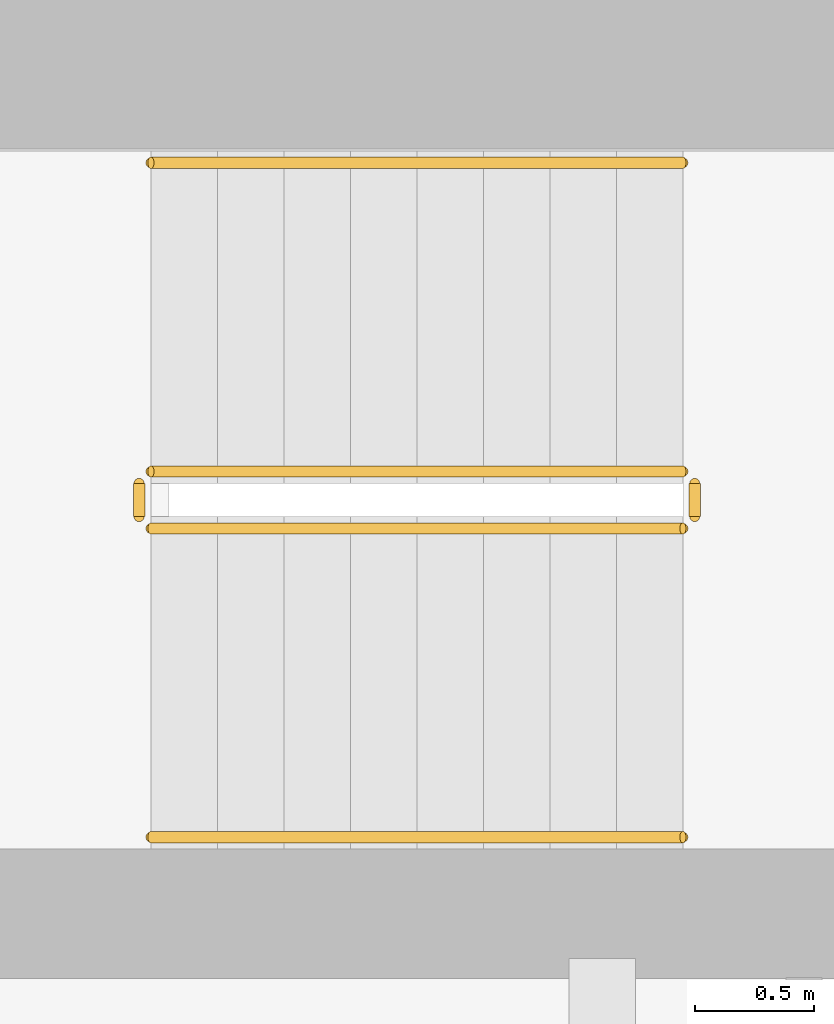
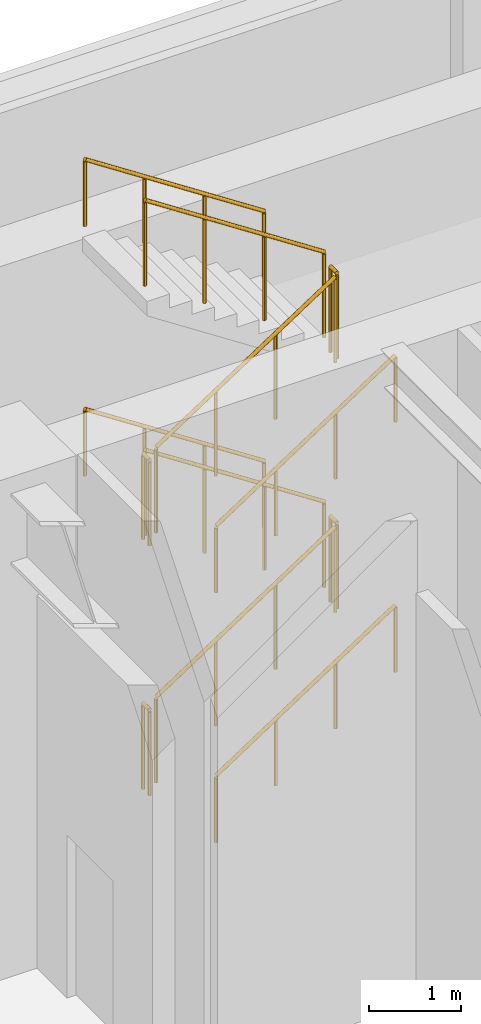
# One storey, part 17 of 21: 12 railings.
"""IFC4 building model written with IfcOpenShell, lengths in metres."""

from ifc_helpers import new_model, si_unit, direction, frame, origin, origin_2d, place, context, subcontext, project, spatial, circle, extrude, material, type_object, element, save


model = new_model("IFC4")

# Units and contexts
model_context = context("Model", 3, precision=1e-05, world=origin(), true_north=direction((0.0, 1.0)))
body_context = subcontext(model_context, "Body", "Model", "MODEL_VIEW")
ifc_project = project(units=[si_unit("LENGTHUNIT", "METRE"), si_unit("AREAUNIT", "SQUARE_METRE"), si_unit("VOLUMEUNIT", "CUBIC_METRE"), si_unit("PLANEANGLEUNIT", "RADIAN"), si_unit("MASSUNIT", "GRAM", prefix="KILO")], contexts=[model_context])

# Site, building, storey
site_placement = place(None, origin())
site = spatial("IfcSite", under=ifc_project, at=site_placement, CompositionType="ELEMENT")
building_placement = place(site_placement, origin())
building = spatial("IfcBuilding", under=site, at=building_placement, Name="Mirazonda Arch Towers", CompositionType="ELEMENT")
storey_placement = place(building_placement, frame((0.0, 0.0, 81.800048828125)))
storey = spatial("IfcBuildingStorey", under=building, at=storey_placement, Name="L23", CompositionType="ELEMENT", Elevation=81.800048828125)

# Railings
ifc_material = material(Name="Architectural Brushed Steel S355", Category="steel")
railing_type_1 = type_object("IfcRailingType", Name="GUARD-STAIR-1120", PredefinedType="GUARDRAIL", material=ifc_material)
railing_1_placement = place(storey_placement, frame((13.85009765625, 39.169921875, 0.183349609375)))
element("IfcRailing", 1, at=railing_1_placement, inside=storey, type_object=railing_type_1, Name="L23 ST-T1N stair guard 1", PredefinedType="GUARDRAIL", context=body_context, shape_type="SweptSolid", body=[
    extrude(circle(Radius=0.02392578125, at=origin_2d()), frame((0.0, 0.0, 1.1259765625), z_axis=(0.836636935527, 0.0, 0.547757827979), x_axis=(0.0, 1.0, 0.0)), (0.0, 0.0, 1.0), 2.677490234375),
    extrude(circle(Radius=0.02099609375, at=origin_2d()), origin(), (0.0, 0.0, 1.0), 1.101806640625),
    extrude(circle(Radius=0.02099609375, at=origin_2d()), frame((0.74658203125, 0.0, 0.48876953125)), (0.0, 0.0, 1.0), 1.101806640625),
    extrude(circle(Radius=0.02099609375, at=origin_2d()), frame((1.493408203125, 0.0, 0.977783203125)), (0.0, 0.0, 1.0), 1.101806640625),
    extrude(circle(Radius=0.02099609375, at=origin_2d()), frame((2.239990234375, 0.0, 1.466552734375)), (0.0, 0.0, 1.0), 1.101806640625),
])
railing_2_placement = place(storey_placement, frame((16.139892578125, 39.219970703125, 1.64990234375)))
element("IfcRailing", 2, at=railing_2_placement, inside=storey, type_object=railing_type_1, Name="L23 ST-T1N stair guard 2", PredefinedType="GUARDRAIL", context=body_context, shape_type="SweptSolid", body=[
    extrude(circle(Radius=0.02392578125, at=origin_2d()), frame((0.0, 0.0, 1.1259765625), z_axis=(0.0, 1.0, 0.0), x_axis=(-1.0, 0.0, 0.0)), (0.0, 0.0, 1.0), 0.14013671875),
    extrude(circle(Radius=0.02099609375, at=origin_2d()), origin(), (0.0, 0.0, 1.0), 1.101806640625),
    extrude(circle(Radius=0.02099609375, at=origin_2d()), frame((0.0, 0.14013671875, 0.0)), (0.0, 0.0, 1.0), 1.101806640625),
])
railing_3_placement = place(storey_placement, frame((16.090087890625, 39.409912109375, 1.833251953125)))
element("IfcRailing", 3, at=railing_3_placement, inside=storey, type_object=railing_type_1, Name="L23 ST-T1N stair guard 3", PredefinedType="GUARDRAIL", context=body_context, shape_type="SweptSolid", body=[
    extrude(circle(Radius=0.02392578125, at=origin_2d()), frame((0.0, 0.0, 1.1259765625), z_axis=(-0.836595146698, 0.0, 0.547821650285), x_axis=(0.0, -1.0, 0.0)), (0.0, 0.0, 1.0), 2.677490234375),
    extrude(circle(Radius=0.02099609375, at=origin_2d()), origin(), (0.0, 0.0, 1.0), 1.101806640625),
    extrude(circle(Radius=0.02099609375, at=origin_2d()), frame((-0.74658203125, 0.0, 0.489013671875)), (0.0, 0.0, 1.0), 1.101806640625),
    extrude(circle(Radius=0.02099609375, at=origin_2d()), frame((-1.493408203125, 0.0, 0.977783203125)), (0.0, 0.0, 1.0), 1.101806640625),
    extrude(circle(Radius=0.02099609375, at=origin_2d()), frame((-2.239990234375, 0.0, 1.466796875)), (0.0, 0.0, 1.0), 1.101806640625),
])
railing_4_placement = place(storey_placement, frame((13.800048828125, 39.219970703125, 3.300048828125)))
element("IfcRailing", 4, at=railing_4_placement, inside=storey, type_object=railing_type_1, Name="L23 ST-T1N stair guard 4", PredefinedType="GUARDRAIL", context=body_context, shape_type="SweptSolid", body=[
    extrude(circle(Radius=0.02392578125, at=origin_2d()), frame((0.0, 0.0, 1.1259765625), z_axis=(0.0, 1.0, 0.0), x_axis=(-1.0, 0.0, 0.0)), (0.0, 0.0, 1.0), 0.14013671875),
    extrude(circle(Radius=0.02099609375, at=origin_2d()), origin(), (0.0, 0.0, 1.0), 1.101806640625),
    extrude(circle(Radius=0.02099609375, at=origin_2d()), frame((0.0, 0.14013671875, 0.0)), (0.0, 0.0, 1.0), 1.101806640625),
])
railing_5_placement = place(storey_placement, frame((13.85009765625, 39.169921875, 3.4833984375)))
element("IfcRailing", 5, at=railing_5_placement, inside=storey, type_object=railing_type_1, Name="L23 ST-T1N stair guard 5", PredefinedType="GUARDRAIL", context=body_context, shape_type="SweptSolid", body=[
    extrude(circle(Radius=0.02392578125, at=origin_2d()), frame((0.0, 0.0, 1.1259765625), z_axis=(0.836636935527, 0.0, 0.547757827979), x_axis=(0.0, 1.0, 0.0)), (0.0, 0.0, 1.0), 2.677490234375),
    extrude(circle(Radius=0.02099609375, at=origin_2d()), origin(), (0.0, 0.0, 1.0), 1.101806640625),
    extrude(circle(Radius=0.02099609375, at=origin_2d()), frame((0.74658203125, 0.0, 0.48876953125)), (0.0, 0.0, 1.0), 1.101806640625),
    extrude(circle(Radius=0.02099609375, at=origin_2d()), frame((1.493408203125, 0.0, 0.977783203125)), (0.0, 0.0, 1.0), 1.101806640625),
    extrude(circle(Radius=0.02099609375, at=origin_2d()), frame((2.239990234375, 0.0, 1.466552734375)), (0.0, 0.0, 1.0), 1.101806640625),
])
railing_6_placement = place(storey_placement, frame((16.139892578125, 39.219970703125, 4.949951171875)))
element("IfcRailing", 6, at=railing_6_placement, inside=storey, type_object=railing_type_1, Name="L23 ST-T1N stair guard 6", PredefinedType="GUARDRAIL", context=body_context, shape_type="SweptSolid", body=[
    extrude(circle(Radius=0.02392578125, at=origin_2d()), frame((0.0, 0.0, 1.1259765625), z_axis=(0.0, 1.0, 0.0), x_axis=(-1.0, 0.0, 0.0)), (0.0, 0.0, 1.0), 0.14013671875),
    extrude(circle(Radius=0.02099609375, at=origin_2d()), origin(), (0.0, 0.0, 1.0), 1.101806640625),
    extrude(circle(Radius=0.02099609375, at=origin_2d()), frame((0.0, 0.14013671875, 0.0)), (0.0, 0.0, 1.0), 1.101806640625),
])
railing_7_placement = place(storey_placement, frame((16.090087890625, 39.409912109375, 5.13330078125)))
element("IfcRailing", 7, at=railing_7_placement, inside=storey, type_object=railing_type_1, Name="L23 ST-T1N stair guard 7", PredefinedType="GUARDRAIL", context=body_context, shape_type="SweptSolid", body=[
    extrude(circle(Radius=0.02392578125, at=origin_2d()), frame((0.0, 0.0, 1.1259765625), z_axis=(-0.836636935527, 0.0, 0.547757827979), x_axis=(0.0, -1.0, 0.0)), (0.0, 0.0, 1.0), 2.677490234375),
    extrude(circle(Radius=0.02099609375, at=origin_2d()), origin(), (0.0, 0.0, 1.0), 1.101806640625),
    extrude(circle(Radius=0.02099609375, at=origin_2d()), frame((-0.74658203125, 0.0, 0.48876953125)), (0.0, 0.0, 1.0), 1.101806640625),
    extrude(circle(Radius=0.02099609375, at=origin_2d()), frame((-1.493408203125, 0.0, 0.977783203125)), (0.0, 0.0, 1.0), 1.101806640625),
    extrude(circle(Radius=0.02099609375, at=origin_2d()), frame((-2.239990234375, 0.0, 1.466552734375)), (0.0, 0.0, 1.0), 1.101806640625),
])
railing_8_placement = place(storey_placement, frame((13.800048828125, 39.219970703125, 0.0)))
element("IfcRailing", 8, at=railing_8_placement, inside=storey, type_object=railing_type_1, Name="L23 ST-T1N stair guard 8", PredefinedType="GUARDRAIL", context=body_context, shape_type="SweptSolid", body=[
    extrude(circle(Radius=0.02392578125, at=origin_2d()), frame((0.0, 0.0, 1.1259765625), z_axis=(0.0, 1.0, 0.0), x_axis=(-1.0, 0.0, 0.0)), (0.0, 0.0, 1.0), 0.14013671875),
    extrude(circle(Radius=0.02099609375, at=origin_2d()), origin(), (0.0, 0.0, 1.0), 1.101806640625),
    extrude(circle(Radius=0.02099609375, at=origin_2d()), frame((0.0, 0.14013671875, 0.0)), (0.0, 0.0, 1.0), 1.101806640625),
])
railing_type_2 = type_object("IfcRailingType", Name="HANDRAIL-915", PredefinedType="HANDRAIL", material=ifc_material)
railing_9_placement = place(storey_placement, frame((13.85009765625, 37.8701171875, 0.183349609375)))
element("IfcRailing", 9, at=railing_9_placement, inside=storey, type_object=railing_type_2, Name="L23 ST-T1N stair handrail 1", PredefinedType="HANDRAIL", context=body_context, shape_type="SweptSolid", body=[
    extrude(circle(Radius=0.02392578125, at=origin_2d()), frame((0.0, 0.0, 0.8759765625), z_axis=(0.836636935527, 0.0, 0.547757827979), x_axis=(0.0, 1.0, 0.0)), (0.0, 0.0, 1.0), 2.677490234375),
    extrude(circle(Radius=0.02099609375, at=origin_2d()), origin(), (0.0, 0.0, 1.0), 0.851806640625),
    extrude(circle(Radius=0.02099609375, at=origin_2d()), frame((0.74658203125, 0.0, 0.48876953125)), (0.0, 0.0, 1.0), 0.851806640625),
    extrude(circle(Radius=0.02099609375, at=origin_2d()), frame((1.493408203125, 0.0, 0.977783203125)), (0.0, 0.0, 1.0), 0.851806640625),
    extrude(circle(Radius=0.02099609375, at=origin_2d()), frame((2.239990234375, 0.0, 1.466552734375)), (0.0, 0.0, 1.0), 0.851806640625),
])
railing_10_placement = place(storey_placement, frame((16.090087890625, 40.7099609375, 1.833251953125)))
element("IfcRailing", 10, at=railing_10_placement, inside=storey, type_object=railing_type_2, Name="L23 ST-T1N stair handrail 2", PredefinedType="HANDRAIL", context=body_context, shape_type="SweptSolid", body=[
    extrude(circle(Radius=0.02392578125, at=origin_2d()), frame((0.0, 0.0, 0.8759765625), z_axis=(-0.836595146698, 0.0, 0.547821650285), x_axis=(0.0, -1.0, 0.0)), (0.0, 0.0, 1.0), 2.677490234375),
    extrude(circle(Radius=0.02099609375, at=origin_2d()), origin(), (0.0, 0.0, 1.0), 0.851806640625),
    extrude(circle(Radius=0.02099609375, at=origin_2d()), frame((-0.74658203125, 0.0, 0.489013671875)), (0.0, 0.0, 1.0), 0.851806640625),
    extrude(circle(Radius=0.02099609375, at=origin_2d()), frame((-1.493408203125, 0.0, 0.977783203125)), (0.0, 0.0, 1.0), 0.851806640625),
    extrude(circle(Radius=0.02099609375, at=origin_2d()), frame((-2.239990234375, 0.0, 1.466796875)), (0.0, 0.0, 1.0), 0.851806640625),
])
railing_11_placement = place(storey_placement, frame((13.85009765625, 37.8701171875, 3.4833984375)))
element("IfcRailing", 11, at=railing_11_placement, inside=storey, type_object=railing_type_2, Name="L23 ST-T1N stair handrail 3", PredefinedType="HANDRAIL", context=body_context, shape_type="SweptSolid", body=[
    extrude(circle(Radius=0.02392578125, at=origin_2d()), frame((0.0, 0.0, 0.8759765625), z_axis=(0.836636935527, 0.0, 0.547757827979), x_axis=(0.0, 1.0, 0.0)), (0.0, 0.0, 1.0), 2.677490234375),
    extrude(circle(Radius=0.02099609375, at=origin_2d()), origin(), (0.0, 0.0, 1.0), 0.851806640625),
    extrude(circle(Radius=0.02099609375, at=origin_2d()), frame((0.74658203125, 0.0, 0.48876953125)), (0.0, 0.0, 1.0), 0.851806640625),
    extrude(circle(Radius=0.02099609375, at=origin_2d()), frame((1.493408203125, 0.0, 0.977783203125)), (0.0, 0.0, 1.0), 0.851806640625),
    extrude(circle(Radius=0.02099609375, at=origin_2d()), frame((2.239990234375, 0.0, 1.466552734375)), (0.0, 0.0, 1.0), 0.851806640625),
])
railing_12_placement = place(storey_placement, frame((16.090087890625, 40.7099609375, 5.13330078125)))
element("IfcRailing", 12, at=railing_12_placement, inside=storey, type_object=railing_type_2, Name="L23 ST-T1N stair handrail 4", PredefinedType="HANDRAIL", context=body_context, shape_type="SweptSolid", body=[
    extrude(circle(Radius=0.02392578125, at=origin_2d()), frame((0.0, 0.0, 0.8759765625), z_axis=(-0.836636935527, 0.0, 0.547757827979), x_axis=(0.0, -1.0, 0.0)), (0.0, 0.0, 1.0), 2.677490234375),
    extrude(circle(Radius=0.02099609375, at=origin_2d()), origin(), (0.0, 0.0, 1.0), 0.851806640625),
    extrude(circle(Radius=0.02099609375, at=origin_2d()), frame((-0.74658203125, 0.0, 0.48876953125)), (0.0, 0.0, 1.0), 0.851806640625),
    extrude(circle(Radius=0.02099609375, at=origin_2d()), frame((-1.493408203125, 0.0, 0.977783203125)), (0.0, 0.0, 1.0), 0.851806640625),
    extrude(circle(Radius=0.02099609375, at=origin_2d()), frame((-2.239990234375, 0.0, 1.466552734375)), (0.0, 0.0, 1.0), 0.851806640625),
])

save(model, "model.ifc")
